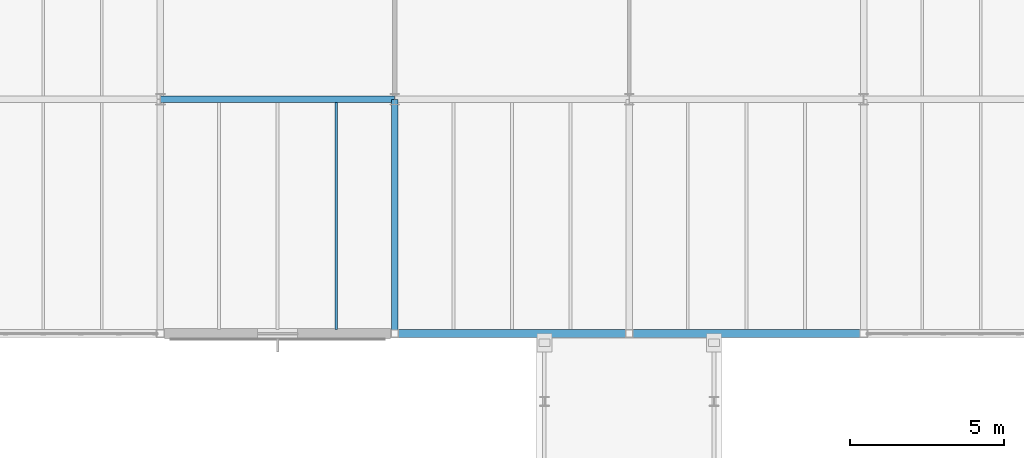
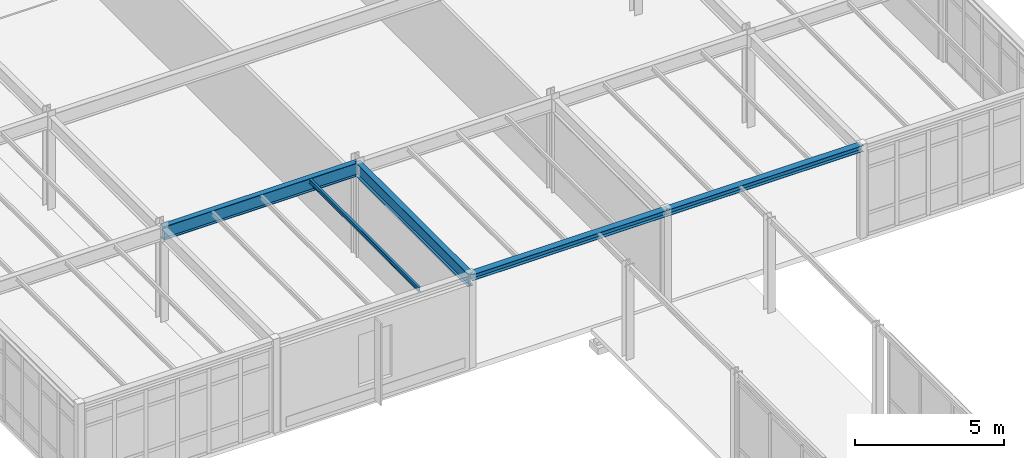
# One storey, part 60 of 189: 5 beams.
"""IFC4 building model written with IfcOpenShell, lengths in metres."""

from ifc_helpers import new_model, si_unit, direction, frame, origin, origin_2d, place, context, subcontext, project, spatial, i_section, extrude, material, material_profile, profile_set, type_object, element, save


model = new_model("IFC4")

# Units and contexts
model_context = context("Model", 3, precision=1e-05, world=origin(), true_north=direction((0.0, 1.0)))
body_context = subcontext(model_context, "Body", "Model", "MODEL_VIEW")
ifc_project = project(units=[si_unit("LENGTHUNIT", "METRE"), si_unit("AREAUNIT", "SQUARE_METRE"), si_unit("VOLUMEUNIT", "CUBIC_METRE"), si_unit("PLANEANGLEUNIT", "RADIAN"), si_unit("MASSUNIT", "GRAM", prefix="KILO")], contexts=[model_context])

# Site, building, storey
site_placement = place(None, origin())
site = spatial("IfcSite", under=ifc_project, at=site_placement, CompositionType="ELEMENT")
building_placement = place(site_placement, origin())
building = spatial("IfcBuilding", under=site, at=building_placement, Name="Montecoro Central Library", CompositionType="ELEMENT")
storey_placement = place(building_placement, frame((0.0, 0.0, 9.179931640625)))
storey = spatial("IfcBuildingStorey", under=building, at=storey_placement, Name="L02", CompositionType="ELEMENT", Elevation=9.179931640625)

# Beams
ifc_material_1 = material(Name="Steel S355J2", Category="steel")
ifc_material_profile_1 = material_profile(ifc_material_1, i_section(OverallWidth=0.2099609375, OverallDepth=0.550048828125, WebThickness=0.010986328125, FlangeThickness=0.01708984375, at=origin_2d()), Name="IPE 550")
ifc_profile_set_1 = profile_set([ifc_material_profile_1], Name="Steel S355J2")
beam_type_1 = type_object("IfcBeamType", Name="BM-G-IPE550", PredefinedType="USERDEFINED", material=ifc_profile_set_1)
for number, where, z_axis, x_axis, name in (
    (1, (12.60498046875, 81.0, 3.550048828125), (1.0, 0.0, 0.0), (0.0, 1.0, 0.0), "V4-L02-BX-23-L"),
    (2, (20.199951171875, 73.405029296875, 3.550048828125), (0.0, 1.0, 0.0), (-1.0, 0.0, 0.0), "V4-L02-BY-3-KL"),
):
    element("IfcBeam", number, at=place(storey_placement, frame(where, z_axis=z_axis, x_axis=x_axis)), inside=storey, type_object=beam_type_1, Name=name, ObjectType="GIRDER", PredefinedType="USERDEFINED", context=body_context, shape_type="SweptSolid", body=[
        extrude(i_section(OverallWidth=0.2099609375, OverallDepth=0.550048828125, WebThickness=0.010986328125, FlangeThickness=0.01708984375, at=origin_2d()), origin(), (0.0, 0.0, 1.0), 7.590087890625),
    ])
ifc_material_2 = material(Name="Steel S355", Category="steel")
ifc_material_profile_2 = material_profile(ifc_material_2, i_section(OverallWidth=0.091064453125, OverallDepth=0.179931640625, WebThickness=0.00537109375, FlangeThickness=0.008056640625, at=origin_2d()), Name="IPE 180")
ifc_profile_set_2 = profile_set([ifc_material_profile_2], Name="Steel S355")
beam_type_2 = type_object("IfcBeamType", Name="BM-J-IPE180", PredefinedType="JOIST", material=ifc_profile_set_2)
beam_1_placement = place(storey_placement, frame((18.300048828125, 73.527099609375, 3.735107421875), z_axis=(0.0, 1.0, 0.0), x_axis=(-1.0, 0.0, 0.0)))
element("IfcBeam", 3, at=beam_1_placement, inside=storey, type_object=beam_type_2, Name="V4-L02-JS-23-KL-3", PredefinedType="JOIST", context=body_context, shape_type="SweptSolid", body=[
    extrude(i_section(OverallWidth=0.091064453125, OverallDepth=0.179931640625, WebThickness=0.00537109375, FlangeThickness=0.008056640625, at=origin_2d()), origin(), (0.0, 0.0, 1.0), 7.370849609375),
])
ifc_material_profile_3 = material_profile(ifc_material_2, i_section(OverallWidth=0.260009765625, OverallDepth=0.25, WebThickness=0.007568359375, FlangeThickness=0.012451171875, at=origin_2d()), Name="HEA 260")
ifc_profile_set_3 = profile_set([ifc_material_profile_3], Name="Steel S355")
beam_type_3 = type_object("IfcBeamType", Name="BM-SP-HEA260", PredefinedType="SPANDREL", material=ifc_profile_set_3)
beam_2_placement = place(storey_placement, frame((20.205078125, 73.39990234375, 3.699951171875), z_axis=(1.0, 0.0, 0.0), x_axis=(0.0, 1.0, 0.0)))
element("IfcBeam", 4, at=beam_2_placement, inside=storey, type_object=beam_type_3, Name="V4-L02-BX-34-K", PredefinedType="SPANDREL", context=body_context, shape_type="SweptSolid", body=[
    extrude(i_section(OverallWidth=0.260009765625, OverallDepth=0.25, WebThickness=0.007568359375, FlangeThickness=0.012451171875, at=origin_2d()), origin(), (0.0, 0.0, 1.0), 7.58984375),
])
beam_3_placement = place(storey_placement, frame((27.804931640625, 73.39990234375, 3.699951171875), z_axis=(1.0, 0.0, 0.0), x_axis=(0.0, 1.0, 0.0)))
element("IfcBeam", 5, at=beam_3_placement, inside=storey, type_object=beam_type_3, Name="V4-L02-BX-45-K", PredefinedType="SPANDREL", context=body_context, shape_type="SweptSolid", body=[
    extrude(i_section(OverallWidth=0.260009765625, OverallDepth=0.25, WebThickness=0.007568359375, FlangeThickness=0.012451171875, at=origin_2d()), origin(), (0.0, 0.0, 1.0), 7.590087890625),
])

save(model, "model.ifc")
